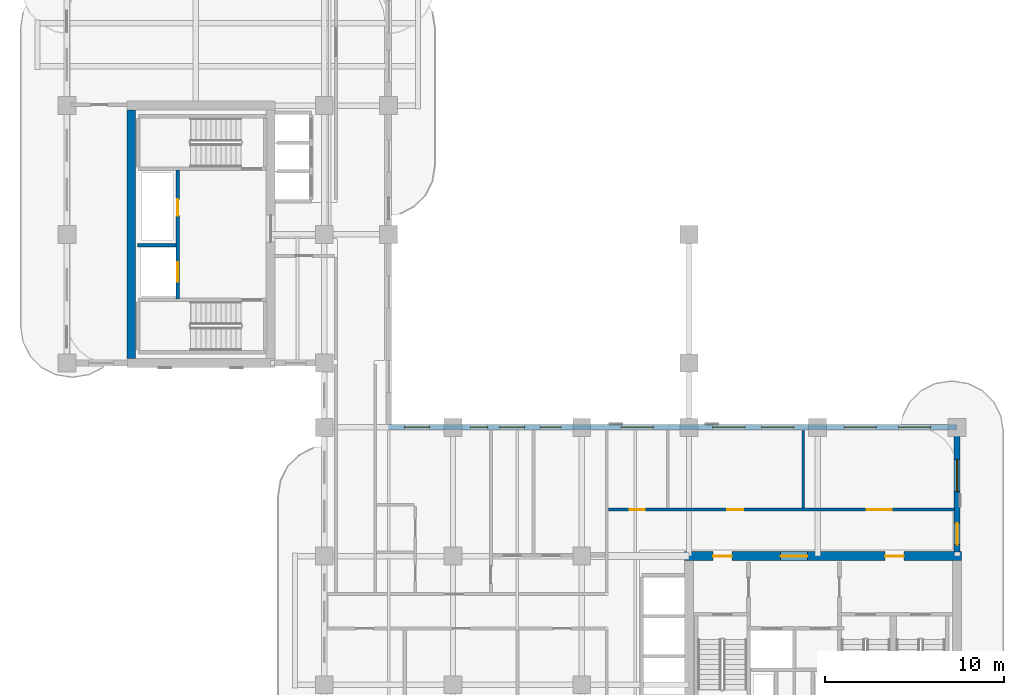
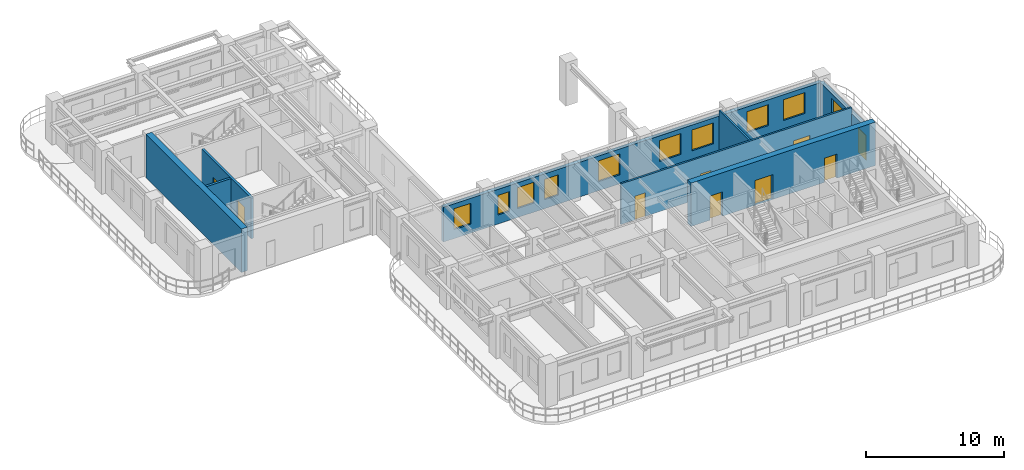
# One storey, part 8 of 15: 10 windows, 9 doors, 8 walls, 19 openings.
"""IFC4 building model written with IfcOpenShell, lengths in metres."""

from ifc_helpers import new_model, si_unit, derived_unit, direction, frame, frame_2d, origin, place, context, subcontext, project, spatial, rectangle, extrude, source, transform, mapped, material, layer, layer_set, type_object, type_shapes, element, fill, save


model = new_model("IFC4")

# Units and contexts
model_context = context("Model", 3, precision=1e-05, world=origin(), true_north=direction((0.0, 1.0)))
body_context = subcontext(model_context, "Body", "Model", "MODEL_VIEW")
ifc_project = project(units=[si_unit("LENGTHUNIT", "METRE"), si_unit("AREAUNIT", "SQUARE_METRE"), si_unit("VOLUMEUNIT", "CUBIC_METRE"), si_unit("PLANEANGLEUNIT", "RADIAN"), si_unit("MASSUNIT", "GRAM", prefix="KILO"), si_unit("THERMODYNAMICTEMPERATUREUNIT", "KELVIN"), si_unit("POWERUNIT", "WATT"), derived_unit("THERMALTRANSMITTANCEUNIT", [(si_unit("POWERUNIT", "WATT"), 1), (si_unit("AREAUNIT", "SQUARE_METRE"), -1), (si_unit("THERMODYNAMICTEMPERATUREUNIT", "KELVIN"), -1)])], contexts=[model_context])

# Site, building, storey
site_placement = place(None, origin())
site = spatial("IfcSite", under=ifc_project, at=site_placement, CompositionType="ELEMENT")
building_placement = place(site_placement, origin())
building = spatial("IfcBuilding", under=site, at=building_placement, Name="Zahravan Archway Hotel and Residences", CompositionType="ELEMENT")
storey_placement = place(building_placement, frame((0.0, 0.0, 184.949951171875)))
storey = spatial("IfcBuildingStorey", under=building, at=storey_placement, Name="L46", CompositionType="ELEMENT", Elevation=184.949951171875)

# Wall, openings, doors
ifc_material_1 = material(Name="Concrete C60/75", Category="concrete")
ifc_layer_1 = layer(ifc_material_1, 0.5, Name="Concrete C60/75", Category="concrete")
ifc_layer_set_1 = layer_set([ifc_layer_1], Name="Concrete C60/75")
wall_type_1 = type_object("IfcWallType", Name="CW-CORE-500", PredefinedType="SHEAR", material=ifc_layer_set_1)
wall_1_placement = place(storey_placement, frame((34.550048828125, 14.39990234375, 0.0), z_axis=(0.0, 0.0, 1.0), x_axis=(1.0, 0.0, 0.0)))
wall_1 = element("IfcWall", 1, at=wall_1_placement, inside=storey, type_object=wall_type_1, Name="L46 Core A Shear N Wall 500 mm", PredefinedType="SHEAR", context=body_context, shape_type="SweptSolid", body=[
    extrude(rectangle(XDim=15.5, YDim=0.5, at=frame_2d((7.75, 0.0))), origin(), (0.0, 0.0, 1.0), 3.85009765625),
])
opening_1_placement = place(wall_1_placement, frame((5.3798828125, 0.0, 0.0)))
opening_1 = element("IfcOpeningElement", 2, at=opening_1_placement, cuts=wall_1, Name="Opening FD-L1", PredefinedType="OPENING", context=body_context, shape_type="SweptSolid", body=[
    extrude(rectangle(XDim=1.5, YDim=2.199951171875, at=frame_2d((0.75, 1.10009765625))), frame((0.0, 0.260009765625, 0.0), z_axis=(0.0, -1.0, 0.0), x_axis=(1.0, 0.0, 0.0)), (0.0, 0.0, 1.0), 0.52001953125),
])
opening_2_placement = place(wall_1_placement, frame((1.594970703125, 0.0, 0.0)))
opening_2 = element("IfcOpeningElement", 3, at=opening_2_placement, cuts=wall_1, Name="Opening FD-L2", PredefinedType="OPENING", context=body_context, shape_type="SweptSolid", body=[
    extrude(rectangle(XDim=1.050048828125, YDim=2.14990234375, at=frame_2d((0.52490234375, 1.074951171875))), frame((0.0, 0.260009765625, 0.0), z_axis=(0.0, -1.0, 0.0), x_axis=(1.0, 0.0, 0.0)), (0.0, 0.0, 1.0), 0.52001953125),
])
opening_3_placement = place(wall_1_placement, frame((11.22509765625, 0.0, 0.0)))
opening_3 = element("IfcOpeningElement", 4, at=opening_3_placement, cuts=wall_1, Name="Opening FD-L2", PredefinedType="OPENING", context=body_context, shape_type="SweptSolid", body=[
    extrude(rectangle(XDim=1.050048828125, YDim=2.14990234375, at=frame_2d((0.52490234375, 1.074951171875))), frame((0.0, 0.260009765625, 0.0), z_axis=(0.0, -1.0, 0.0), x_axis=(1.0, 0.0, 0.0)), (0.0, 0.0, 1.0), 0.52001953125),
])
ifc_material_2 = material(Name="Fire-Rated Painted Steel", Category="steel")
door_type_1 = type_object("IfcDoorType", Name="FD-LOBBY-1100", OperationType="NOTDEFINED", PredefinedType="DOOR", material=ifc_material_2)
shared_shape_1 = source(origin(), body_context, "Body", "SweptSolid", [
    extrude(rectangle(XDim=1.050048828125, YDim=2.14990234375, at=frame_2d((0.52490234375, 1.074951171875))), frame((0.0, 0.02490234375, 0.0), z_axis=(0.0, -1.0, 0.0), x_axis=(1.0, 0.0, 0.0)), (0.0, 0.0, 1.0), 0.050048828125),
])
type_shapes(door_type_1, [shared_shape_1])
door_1_placement = place(opening_2_placement, origin())
door_1 = element("IfcDoor", 5, at=door_1_placement, inside=storey, type_object=door_type_1, Name="L46 Core A West Stair Lobby Door", OperationType="SINGLE_SWING_RIGHT", OverallHeight=2.14990234375, OverallWidth=1.050048828125, PredefinedType="DOOR", context=body_context, shape_type="MappedRepresentation", body=[
    mapped(shared_shape_1, transform((0.0, 0.0, 0.0), scale=1.0)),
])
fill(opening_2, door_1)
door_2_placement = place(opening_3_placement, origin())
door_2 = element("IfcDoor", 6, at=door_2_placement, inside=storey, type_object=door_type_1, Name="L46 Core A East Stair Lobby Door", OperationType="SINGLE_SWING_LEFT", OverallHeight=2.14990234375, OverallWidth=1.050048828125, PredefinedType="DOOR", context=body_context, shape_type="MappedRepresentation", body=[
    mapped(shared_shape_1, transform((0.0, 0.0, 0.0), scale=1.0)),
])
fill(opening_3, door_2)
door_type_2 = type_object("IfcDoorType", Name="FD-LOBBY-1500", OperationType="DOUBLE_DOOR_SINGLE_SWING", PredefinedType="DOOR", material=ifc_material_2)
shared_shape_2 = source(origin(), body_context, "Body", "SweptSolid", [
    extrude(rectangle(XDim=1.5, YDim=2.199951171875, at=frame_2d((0.75, 1.10009765625))), frame((0.0, 0.02490234375, 0.0), z_axis=(0.0, -1.0, 0.0), x_axis=(1.0, 0.0, 0.0)), (0.0, 0.0, 1.0), 0.050048828125),
])
type_shapes(door_type_2, [shared_shape_2])
door_3_placement = place(opening_1_placement, origin())
door_3 = element("IfcDoor", 7, at=door_3_placement, inside=storey, type_object=door_type_2, Name="L46 Core A FSAE Lobby Main Door", OperationType="DOUBLE_DOOR_SINGLE_SWING", OverallHeight=2.199951171875, OverallWidth=1.5, PredefinedType="DOOR", context=body_context, shape_type="MappedRepresentation", body=[
    mapped(shared_shape_2, transform((0.0, 0.0, 0.0), scale=1.0)),
])
fill(opening_1, door_3)

# Wall
wall_2_placement = place(storey_placement, frame((3.60009765625, 25.449951171875, 0.0), z_axis=(0.0, 0.0, 1.0), x_axis=(0.0, 1.0, 0.0)))
element("IfcWall", 8, at=wall_2_placement, inside=storey, type_object=wall_type_1, Name="L46 Core B Shear W Wall 500 mm", PredefinedType="SHEAR", context=body_context, shape_type="SweptSolid", body=[
    extrude(rectangle(XDim=13.900146484375, YDim=0.5, at=frame_2d((6.9501953125, 0.0))), origin(), (0.0, 0.0, 1.0), 3.85009765625),
])

# Wall, openings, door, window
ifc_material_3 = material(Name="Agra Buff Sandstone & Insulated Backup", Category="masonry")
ifc_layer_2 = layer(ifc_material_3, 0.320068359375, Name="Agra Buff Sandstone & Insulated Backup", Category="masonry")
ifc_layer_set_2 = layer_set([ifc_layer_2], Name="Agra Buff Sandstone & Insulated Backup")
wall_type_2 = type_object("IfcWallType", Name="EW-SAND-320", PredefinedType="SOLIDWALL", material=ifc_layer_set_2)
wall_3_placement = place(storey_placement, frame((49.800048828125, 14.6201171875, 0.0), z_axis=(0.0, 0.0, 1.0), x_axis=(0.0, 1.0, 0.0)))
wall_3 = element("IfcWall", 9, at=wall_3_placement, inside=storey, type_object=wall_type_2, Name="L46 Exterior Sandstone Wall WA-EN", PredefinedType="SOLIDWALL", context=body_context, shape_type="SweptSolid", body=[
    extrude(rectangle(XDim=6.929931640625, YDim=0.320068359375, at=frame_2d((3.46484375, 0.0))), origin(), (0.0, 0.0, 1.0), 3.0849609375),
])
opening_4_placement = place(wall_3_placement, frame((0.419921875, 0.0, 0.0)))
opening_4 = element("IfcOpeningElement", 10, at=opening_4_placement, cuts=wall_3, Name="Opening ED-BL1", PredefinedType="OPENING", context=body_context, shape_type="SweptSolid", body=[
    extrude(rectangle(XDim=1.199951171875, YDim=2.199951171875, at=frame_2d((0.60009765625, 1.10009765625))), frame((0.0, 0.169921875, 0.0), z_axis=(0.0, -1.0, 0.0), x_axis=(1.0, 0.0, 0.0)), (0.0, 0.0, 1.0), 0.340087890625),
])
opening_5_placement = place(wall_3_placement, frame((3.384033203125, 0.0, 0.800048828125)))
opening_5 = element("IfcOpeningElement", 11, at=opening_5_placement, cuts=wall_3, Name="Opening W-02", PredefinedType="OPENING", context=body_context, shape_type="SweptSolid", body=[
    extrude(rectangle(XDim=1.800048828125, YDim=1.85009765625, at=frame_2d((0.89990234375, 0.925048828125))), frame((0.0, 0.169921875, 0.0), z_axis=(0.0, -1.0, 0.0), x_axis=(1.0, 0.0, 0.0)), (0.0, 0.0, 1.0), 0.340087890625),
])
ifc_material_4 = material(Name="Bronze-Anodized Glazed Aluminium", Category="aluminium")
door_type_3 = type_object("IfcDoorType", Name="ED-BALC-1200", OperationType="SLIDING_TO_LEFT", PredefinedType="DOOR", material=ifc_material_4)
shared_shape_3 = source(origin(), body_context, "Body", "SweptSolid", [
    extrude(rectangle(XDim=1.199951171875, YDim=2.199951171875, at=frame_2d((0.60009765625, 1.10009765625))), frame((0.0, 0.02490234375, 0.0), z_axis=(0.0, -1.0, 0.0), x_axis=(1.0, 0.0, 0.0)), (0.0, 0.0, 1.0), 0.050048828125),
])
type_shapes(door_type_3, [shared_shape_3])
door_4_placement = place(opening_4_placement, origin())
door_4 = element("IfcDoor", 12, at=door_4_placement, inside=storey, type_object=door_type_3, Name="L46 Outdoor Access Sliding Door (SLB-BAL-L46-EA)", OperationType="SLIDING_TO_LEFT", OverallHeight=2.199951171875, OverallWidth=1.199951171875, PredefinedType="DOOR", context=body_context, shape_type="MappedRepresentation", body=[
    mapped(shared_shape_3, transform((0.0, 0.0, 0.0), scale=1.0)),
])
fill(opening_4, door_4)
ifc_material_5 = material(Name="Bronze-Anodized Thermal-Break Aluminium & Low-E Glass", Category="aluminium")
window_type_1 = type_object("IfcWindowType", Name="WIN-TWR-1800", PartitioningType="DOUBLE_PANEL_VERTICAL", PredefinedType="WINDOW", material=ifc_material_5)
shared_shape_4 = source(origin(), body_context, "Body", "SweptSolid", [
    extrude(rectangle(XDim=1.800048828125, YDim=1.85009765625, at=frame_2d((0.89990234375, 0.925048828125))), frame((0.0, 0.030029296875, 0.0), z_axis=(0.0, -1.0, 0.0), x_axis=(1.0, 0.0, 0.0)), (0.0, 0.0, 1.0), 0.06005859375),
])
type_shapes(window_type_1, [shared_shape_4])
window_1_placement = place(opening_5_placement, origin())
window_1 = element("IfcWindow", 13, at=window_1_placement, inside=storey, type_object=window_type_1, Name="L46 Loggia Window 10", OverallHeight=1.85009765625, OverallWidth=1.800048828125, PartitioningType="DOUBLE_PANEL_VERTICAL", PredefinedType="WINDOW", context=body_context, shape_type="MappedRepresentation", body=[
    mapped(shared_shape_4, transform((0.0, 0.0, 0.0), scale=1.0)),
])
fill(opening_5, window_1)

# Wall, openings, windows
wall_4_placement = place(storey_placement, frame((18.0, 21.60009765625, 0.0), z_axis=(0.0, 0.0, 1.0), x_axis=(1.0, 0.0, 0.0)))
wall_4 = element("IfcWall", 14, at=wall_4_placement, inside=storey, type_object=wall_type_2, Name="L46 Exterior Sandstone Wall WA-NE", PredefinedType="SOLIDWALL", context=body_context, shape_type="SweptSolid", body=[
    extrude(rectangle(XDim=31.800048828125, YDim=0.320068359375, at=frame_2d((15.89990234375, 0.0))), origin(), (0.0, 0.0, 1.0), 3.0849609375),
])
opening_6_placement = place(wall_4_placement, frame((0.885009765625, 0.0, 0.800048828125)))
opening_6 = element("IfcOpeningElement", 15, at=opening_6_placement, cuts=wall_4, Name="Opening W-03", PredefinedType="OPENING", context=body_context, shape_type="SweptSolid", body=[
    extrude(rectangle(XDim=1.39990234375, YDim=1.85009765625, at=frame_2d((0.699951171875, 0.925048828125))), frame((0.0, 0.169921875, 0.0), z_axis=(0.0, -1.0, 0.0), x_axis=(1.0, 0.0, 0.0)), (0.0, 0.0, 1.0), 0.340087890625),
])
opening_7_placement = place(wall_4_placement, frame((4.5810546875, 0.0, 0.800048828125)))
opening_7 = element("IfcOpeningElement", 16, at=opening_7_placement, cuts=wall_4, Name="Opening W-04", PredefinedType="OPENING", context=body_context, shape_type="SweptSolid", body=[
    extrude(rectangle(XDim=0.949951171875, YDim=1.75, at=frame_2d((0.47509765625, 0.875))), frame((0.0, 0.169921875, 0.0), z_axis=(0.0, -1.0, 0.0), x_axis=(1.0, 0.0, 0.0)), (0.0, 0.0, 1.0), 0.340087890625),
])
opening_8_placement = place(wall_4_placement, frame((6.2099609375, 0.0, 0.800048828125)))
opening_8 = element("IfcOpeningElement", 17, at=opening_8_placement, cuts=wall_4, Name="Opening W-03", PredefinedType="OPENING", context=body_context, shape_type="SweptSolid", body=[
    extrude(rectangle(XDim=1.39990234375, YDim=1.85009765625, at=frame_2d((0.699951171875, 0.925048828125))), frame((0.0, 0.169921875, 0.0), z_axis=(0.0, -1.0, 0.0), x_axis=(1.0, 0.0, 0.0)), (0.0, 0.0, 1.0), 0.340087890625),
])
opening_9_placement = place(wall_4_placement, frame((8.47998046875, 0.0, 0.800048828125)))
opening_9 = element("IfcOpeningElement", 18, at=opening_9_placement, cuts=wall_4, Name="Opening W-05", PredefinedType="OPENING", context=body_context, shape_type="SweptSolid", body=[
    extrude(rectangle(XDim=1.14990234375, YDim=1.800048828125, at=frame_2d((0.574951171875, 0.89990234375))), frame((0.0, 0.169921875, 0.0), z_axis=(0.0, -1.0, 0.0), x_axis=(1.0, 0.0, 0.0)), (0.0, 0.0, 1.0), 0.340087890625),
])
opening_10_placement = place(wall_4_placement, frame((13.0009765625, 0.0, 0.800048828125)))
opening_10 = element("IfcOpeningElement", 19, at=opening_10_placement, cuts=wall_4, Name="Opening W-02", PredefinedType="OPENING", context=body_context, shape_type="SweptSolid", body=[
    extrude(rectangle(XDim=1.800048828125, YDim=1.85009765625, at=frame_2d((0.89990234375, 0.925048828125))), frame((0.0, 0.169921875, 0.0), z_axis=(0.0, -1.0, 0.0), x_axis=(1.0, 0.0, 0.0)), (0.0, 0.0, 1.0), 0.340087890625),
])
opening_11_placement = place(wall_4_placement, frame((18.123046875, 0.0, 0.800048828125)))
opening_11 = element("IfcOpeningElement", 20, at=opening_11_placement, cuts=wall_4, Name="Opening W-02", PredefinedType="OPENING", context=body_context, shape_type="SweptSolid", body=[
    extrude(rectangle(XDim=1.800048828125, YDim=1.85009765625, at=frame_2d((0.89990234375, 0.925048828125))), frame((0.0, 0.169921875, 0.0), z_axis=(0.0, -1.0, 0.0), x_axis=(1.0, 0.0, 0.0)), (0.0, 0.0, 1.0), 0.340087890625),
])
opening_12_placement = place(wall_4_placement, frame((20.868896484375, 0.0, 0.800048828125)))
opening_12 = element("IfcOpeningElement", 21, at=opening_12_placement, cuts=wall_4, Name="Opening W-02", PredefinedType="OPENING", context=body_context, shape_type="SweptSolid", body=[
    extrude(rectangle(XDim=1.800048828125, YDim=1.85009765625, at=frame_2d((0.89990234375, 0.925048828125))), frame((0.0, 0.169921875, 0.0), z_axis=(0.0, -1.0, 0.0), x_axis=(1.0, 0.0, 0.0)), (0.0, 0.0, 1.0), 0.340087890625),
])
opening_13_placement = place(wall_4_placement, frame((25.47509765625, 0.0, 0.800048828125)))
opening_13 = element("IfcOpeningElement", 22, at=opening_13_placement, cuts=wall_4, Name="Opening W-02", PredefinedType="OPENING", context=body_context, shape_type="SweptSolid", body=[
    extrude(rectangle(XDim=1.800048828125, YDim=1.85009765625, at=frame_2d((0.89990234375, 0.925048828125))), frame((0.0, 0.169921875, 0.0), z_axis=(0.0, -1.0, 0.0), x_axis=(1.0, 0.0, 0.0)), (0.0, 0.0, 1.0), 0.340087890625),
])
opening_14_placement = place(wall_4_placement, frame((28.52490234375, 0.0, 0.800048828125)))
opening_14 = element("IfcOpeningElement", 23, at=opening_14_placement, cuts=wall_4, Name="Opening W-02", PredefinedType="OPENING", context=body_context, shape_type="SweptSolid", body=[
    extrude(rectangle(XDim=1.800048828125, YDim=1.85009765625, at=frame_2d((0.89990234375, 0.925048828125))), frame((0.0, 0.169921875, 0.0), z_axis=(0.0, -1.0, 0.0), x_axis=(1.0, 0.0, 0.0)), (0.0, 0.0, 1.0), 0.340087890625),
])
window_type_2 = type_object("IfcWindowType", Name="WIN-TWR-1400", PartitioningType="SINGLE_PANEL", PredefinedType="WINDOW", material=ifc_material_5)
shared_shape_5 = source(origin(), body_context, "Body", "SweptSolid", [
    extrude(rectangle(XDim=1.39990234375, YDim=1.85009765625, at=frame_2d((0.699951171875, 0.925048828125))), frame((0.0, 0.030029296875, 0.0), z_axis=(0.0, -1.0, 0.0), x_axis=(1.0, 0.0, 0.0)), (0.0, 0.0, 1.0), 0.06005859375),
])
type_shapes(window_type_2, [shared_shape_5])
window_2_placement = place(opening_6_placement, origin())
window_2 = element("IfcWindow", 24, at=window_2_placement, inside=storey, type_object=window_type_2, Name="L46 Loggia Window 11", OverallHeight=1.85009765625, OverallWidth=1.39990234375, PartitioningType="SINGLE_PANEL", PredefinedType="WINDOW", context=body_context, shape_type="MappedRepresentation", body=[
    mapped(shared_shape_5, transform((0.0, 0.0, 0.0), scale=1.0)),
])
fill(opening_6, window_2)
window_3_placement = place(opening_8_placement, origin())
window_3 = element("IfcWindow", 25, at=window_3_placement, inside=storey, type_object=window_type_2, Name="L46 Loggia Window 13", OverallHeight=1.85009765625, OverallWidth=1.39990234375, PartitioningType="SINGLE_PANEL", PredefinedType="WINDOW", context=body_context, shape_type="MappedRepresentation", body=[
    mapped(shared_shape_5, transform((0.0, 0.0, 0.0), scale=1.0)),
])
fill(opening_8, window_3)
window_type_3 = type_object("IfcWindowType", Name="WIN-NAR-950", PartitioningType="SINGLE_PANEL", PredefinedType="WINDOW", material=ifc_material_5)
shared_shape_6 = source(origin(), body_context, "Body", "SweptSolid", [
    extrude(rectangle(XDim=0.949951171875, YDim=1.75, at=frame_2d((0.47509765625, 0.875))), frame((0.0, 0.030029296875, 0.0), z_axis=(0.0, -1.0, 0.0), x_axis=(1.0, 0.0, 0.0)), (0.0, 0.0, 1.0), 0.06005859375),
])
type_shapes(window_type_3, [shared_shape_6])
window_4_placement = place(opening_7_placement, origin())
window_4 = element("IfcWindow", 26, at=window_4_placement, inside=storey, type_object=window_type_3, Name="L46 Loggia Window 12", OverallHeight=1.75, OverallWidth=0.949951171875, PartitioningType="SINGLE_PANEL", PredefinedType="WINDOW", context=body_context, shape_type="MappedRepresentation", body=[
    mapped(shared_shape_6, transform((0.0, 0.0, 0.0), scale=1.0)),
])
fill(opening_7, window_4)
window_5_placement = place(opening_10_placement, origin())
window_5 = element("IfcWindow", 27, at=window_5_placement, inside=storey, type_object=window_type_1, Name="L46 Loggia Window 15", OverallHeight=1.85009765625, OverallWidth=1.800048828125, PartitioningType="DOUBLE_PANEL_VERTICAL", PredefinedType="WINDOW", context=body_context, shape_type="MappedRepresentation", body=[
    mapped(shared_shape_4, transform((0.0, 0.0, 0.0), scale=1.0)),
])
fill(opening_10, window_5)
window_6_placement = place(opening_11_placement, origin())
window_6 = element("IfcWindow", 28, at=window_6_placement, inside=storey, type_object=window_type_1, Name="L46 Loggia Window 16", OverallHeight=1.85009765625, OverallWidth=1.800048828125, PartitioningType="DOUBLE_PANEL_VERTICAL", PredefinedType="WINDOW", context=body_context, shape_type="MappedRepresentation", body=[
    mapped(shared_shape_4, transform((0.0, 0.0, 0.0), scale=1.0)),
])
fill(opening_11, window_6)
window_7_placement = place(opening_12_placement, origin())
window_7 = element("IfcWindow", 29, at=window_7_placement, inside=storey, type_object=window_type_1, Name="L46 Loggia Window 17", OverallHeight=1.85009765625, OverallWidth=1.800048828125, PartitioningType="DOUBLE_PANEL_VERTICAL", PredefinedType="WINDOW", context=body_context, shape_type="MappedRepresentation", body=[
    mapped(shared_shape_4, transform((0.0, 0.0, 0.0), scale=1.0)),
])
fill(opening_12, window_7)
window_8_placement = place(opening_13_placement, origin())
window_8 = element("IfcWindow", 30, at=window_8_placement, inside=storey, type_object=window_type_1, Name="L46 Loggia Window 18", OverallHeight=1.85009765625, OverallWidth=1.800048828125, PartitioningType="DOUBLE_PANEL_VERTICAL", PredefinedType="WINDOW", context=body_context, shape_type="MappedRepresentation", body=[
    mapped(shared_shape_4, transform((0.0, 0.0, 0.0), scale=1.0)),
])
fill(opening_13, window_8)
window_9_placement = place(opening_14_placement, origin())
window_9 = element("IfcWindow", 31, at=window_9_placement, inside=storey, type_object=window_type_1, Name="L46 Loggia Window 19", OverallHeight=1.85009765625, OverallWidth=1.800048828125, PartitioningType="DOUBLE_PANEL_VERTICAL", PredefinedType="WINDOW", context=body_context, shape_type="MappedRepresentation", body=[
    mapped(shared_shape_4, transform((0.0, 0.0, 0.0), scale=1.0)),
])
fill(opening_14, window_9)
window_type_4 = type_object("IfcWindowType", Name="WIN-TWR-1150", PartitioningType="SINGLE_PANEL", PredefinedType="WINDOW", material=ifc_material_5)
shared_shape_7 = source(origin(), body_context, "Body", "SweptSolid", [
    extrude(rectangle(XDim=1.14990234375, YDim=1.800048828125, at=frame_2d((0.574951171875, 0.89990234375))), frame((0.0, 0.030029296875, 0.0), z_axis=(0.0, -1.0, 0.0), x_axis=(1.0, 0.0, 0.0)), (0.0, 0.0, 1.0), 0.06005859375),
])
type_shapes(window_type_4, [shared_shape_7])
window_10_placement = place(opening_9_placement, origin())
window_10 = element("IfcWindow", 32, at=window_10_placement, inside=storey, type_object=window_type_4, Name="L46 Loggia Window 14", OverallHeight=1.800048828125, OverallWidth=1.14990234375, PartitioningType="SINGLE_PANEL", PredefinedType="WINDOW", context=body_context, shape_type="MappedRepresentation", body=[
    mapped(shared_shape_7, transform((0.0, 0.0, 0.0), scale=1.0)),
])
fill(opening_9, window_10)

# Wall, openings, doors
ifc_material_6 = material(Name="Fire-Rated Gypsum & Concrete Block", Category="concrete")
ifc_layer_3 = layer(ifc_material_6, 0.159912109375, Name="Fire-Rated Gypsum & Concrete Block", Category="concrete")
ifc_layer_set_3 = layer_set([ifc_layer_3], Name="Fire-Rated Gypsum & Concrete Block")
wall_type_3 = type_object("IfcWallType", Name="PW-CORR-160", PredefinedType="PARTITIONING", material=ifc_layer_set_3)
wall_5_placement = place(storey_placement, frame((30.2900390625, 17.0, 0.0), z_axis=(0.0, 0.0, 1.0), x_axis=(1.0, 0.0, 0.0)))
wall_5 = element("IfcWall", 33, at=wall_5_placement, inside=storey, type_object=wall_type_3, Name="L46 Partition WA-FN", PredefinedType="PARTITIONING", context=body_context, shape_type="SweptSolid", body=[
    extrude(rectangle(XDim=19.369873046875, YDim=0.159912109375, at=frame_2d((9.68505859375, 0.0))), origin(), (0.0, 0.0, 1.0), 3.60009765625),
])
opening_15_placement = place(wall_5_placement, frame((1.18505859375, 0.0, 0.0)))
opening_15 = element("IfcOpeningElement", 34, at=opening_15_placement, cuts=wall_5, Name="Opening D-B1", PredefinedType="OPENING", context=body_context, shape_type="SweptSolid", body=[
    extrude(rectangle(XDim=0.85009765625, YDim=2.10009765625, at=frame_2d((0.425048828125, 1.050048828125))), frame((0.0, 0.08984375, 0.0), z_axis=(0.0, -1.0, 0.0), x_axis=(1.0, 0.0, 0.0)), (0.0, 0.0, 1.0), 0.179931640625),
])
opening_16_placement = place(wall_5_placement, frame((6.659912109375, 0.0, 0.0)))
opening_16 = element("IfcOpeningElement", 35, at=opening_16_placement, cuts=wall_5, Name="Opening D-I2", PredefinedType="OPENING", context=body_context, shape_type="SweptSolid", body=[
    extrude(rectangle(XDim=0.89990234375, YDim=2.14990234375, at=frame_2d((0.449951171875, 1.074951171875))), frame((0.0, 0.08984375, 0.0), z_axis=(0.0, -1.0, 0.0), x_axis=(1.0, 0.0, 0.0)), (0.0, 0.0, 1.0), 0.179931640625),
])
opening_17_placement = place(wall_5_placement, frame((14.4599609375, 0.0, 0.0)))
opening_17 = element("IfcOpeningElement", 36, at=opening_17_placement, cuts=wall_5, Name="Opening D-P1", PredefinedType="OPENING", context=body_context, shape_type="SweptSolid", body=[
    extrude(rectangle(XDim=1.39990234375, YDim=2.35009765625, at=frame_2d((0.699951171875, 1.175048828125))), frame((0.0, 0.08984375, 0.0), z_axis=(0.0, -1.0, 0.0), x_axis=(1.0, 0.0, 0.0)), (0.0, 0.0, 1.0), 0.179931640625),
])
ifc_material_7 = material(Name="Hardwood Veneer Timber", Category="wood")
door_type_4 = type_object("IfcDoorType", Name="ID-BATH-850", OperationType="NOTDEFINED", PredefinedType="DOOR", material=ifc_material_7)
shared_shape_8 = source(origin(), body_context, "Body", "SweptSolid", [
    extrude(rectangle(XDim=0.85009765625, YDim=2.10009765625, at=frame_2d((0.425048828125, 1.050048828125))), frame((0.0, 0.02490234375, 0.0), z_axis=(0.0, -1.0, 0.0), x_axis=(1.0, 0.0, 0.0)), (0.0, 0.0, 1.0), 0.050048828125),
])
type_shapes(door_type_4, [shared_shape_8])
door_5_placement = place(opening_15_placement, origin())
door_5 = element("IfcDoor", 37, at=door_5_placement, inside=storey, type_object=door_type_4, Name="L46 Accessible Floor Restroom Door", OperationType="SINGLE_SWING_RIGHT", OverallHeight=2.10009765625, OverallWidth=0.85009765625, PredefinedType="DOOR", context=body_context, shape_type="MappedRepresentation", body=[
    mapped(shared_shape_8, transform((0.0, 0.0, 0.0), scale=1.0)),
])
fill(opening_15, door_5)
door_type_5 = type_object("IfcDoorType", Name="ID-PUBLIC-1400", OperationType="DOUBLE_DOOR_SINGLE_SWING", PredefinedType="DOOR", material=ifc_material_4)
shared_shape_9 = source(origin(), body_context, "Body", "SweptSolid", [
    extrude(rectangle(XDim=1.39990234375, YDim=2.35009765625, at=frame_2d((0.699951171875, 1.175048828125))), frame((0.0, 0.02490234375, 0.0), z_axis=(0.0, -1.0, 0.0), x_axis=(1.0, 0.0, 0.0)), (0.0, 0.0, 1.0), 0.050048828125),
])
type_shapes(door_type_5, [shared_shape_9])
door_6_placement = place(opening_17_placement, origin())
door_6 = element("IfcDoor", 38, at=door_6_placement, inside=storey, type_object=door_type_5, Name="L46 Co-Working Room Door", OperationType="DOUBLE_DOOR_SINGLE_SWING", OverallHeight=2.35009765625, OverallWidth=1.39990234375, PredefinedType="DOOR", context=body_context, shape_type="MappedRepresentation", body=[
    mapped(shared_shape_9, transform((0.0, 0.0, 0.0), scale=1.0)),
])
fill(opening_17, door_6)
door_type_6 = type_object("IfcDoorType", Name="ID-INT-900", OperationType="NOTDEFINED", PredefinedType="DOOR", material=ifc_material_7)
shared_shape_10 = source(origin(), body_context, "Body", "SweptSolid", [
    extrude(rectangle(XDim=0.89990234375, YDim=2.14990234375, at=frame_2d((0.449951171875, 1.074951171875))), frame((0.0, 0.02490234375, 0.0), z_axis=(0.0, -1.0, 0.0), x_axis=(1.0, 0.0, 0.0)), (0.0, 0.0, 1.0), 0.050048828125),
])
type_shapes(door_type_6, [shared_shape_10])
door_7_placement = place(opening_16_placement, origin())
door_7 = element("IfcDoor", 39, at=door_7_placement, inside=storey, type_object=door_type_6, Name="L46 Tea Servery Door", OperationType="SINGLE_SWING_LEFT", OverallHeight=2.14990234375, OverallWidth=0.89990234375, PredefinedType="DOOR", context=body_context, shape_type="MappedRepresentation", body=[
    mapped(shared_shape_10, transform((0.0, 0.0, 0.0), scale=1.0)),
])
fill(opening_16, door_7)

ifc_layer_4 = layer(ifc_material_6, 0.199951171875, Name="Fire-Rated Gypsum & Concrete Block", Category="concrete")
ifc_layer_set_4 = layer_set([ifc_layer_4], Name="Fire-Rated Gypsum & Concrete Block")
wall_type_4 = type_object("IfcWallType", Name="PW-SHAFT-200", PredefinedType="PARTITIONING", material=ifc_layer_set_4)
wall_6_placement = place(storey_placement, frame((6.199951171875, 28.7900390625, 0.0), z_axis=(0.0, 0.0, 1.0), x_axis=(0.0, 1.0, 0.0)))
wall_6 = element("IfcWall", 40, at=wall_6_placement, inside=storey, type_object=wall_type_4, Name="L46 Partition CB-FL3E", PredefinedType="PARTITIONING", context=body_context, shape_type="SweptSolid", body=[
    extrude(rectangle(XDim=7.219970703125, YDim=0.199951171875, at=frame_2d((3.60986328125, 0.0))), origin(), (0.0, 0.0, 1.0), 3.60009765625),
])
opening_18_placement = place(wall_6_placement, frame((4.659912109375, 0.0, 0.0)))
opening_18 = element("IfcOpeningElement", 41, at=opening_18_placement, cuts=wall_6, Name="Opening FD-R1", PredefinedType="OPENING", context=body_context, shape_type="SweptSolid", body=[
    extrude(rectangle(XDim=0.89990234375, YDim=2.10009765625, at=frame_2d((0.449951171875, 1.050048828125))), frame((0.0, 0.10986328125, 0.0), z_axis=(0.0, -1.0, 0.0), x_axis=(1.0, 0.0, 0.0)), (0.0, 0.0, 1.0), 0.219970703125),
])
opening_19_placement = place(wall_6_placement, frame((0.9599609375, 0.0, 0.0)))
opening_19 = element("IfcOpeningElement", 42, at=opening_19_placement, cuts=wall_6, Name="Opening LD", PredefinedType="OPENING", context=body_context, shape_type="SweptSolid", body=[
    extrude(rectangle(XDim=1.10009765625, YDim=2.199951171875, at=frame_2d((0.550048828125, 1.10009765625))), frame((0.0, 0.10986328125, 0.0), z_axis=(0.0, -1.0, 0.0), x_axis=(1.0, 0.0, 0.0)), (0.0, 0.0, 1.0), 0.219970703125),
])
door_type_7 = type_object("IfcDoorType", Name="FD-RISER-900", OperationType="NOTDEFINED", PredefinedType="DOOR", material=ifc_material_2)
shared_shape_11 = source(origin(), body_context, "Body", "SweptSolid", [
    extrude(rectangle(XDim=0.89990234375, YDim=2.10009765625, at=frame_2d((0.449951171875, 1.050048828125))), frame((0.0, 0.02490234375, 0.0), z_axis=(0.0, -1.0, 0.0), x_axis=(1.0, 0.0, 0.0)), (0.0, 0.0, 1.0), 0.050048828125),
])
type_shapes(door_type_7, [shared_shape_11])
door_8_placement = place(opening_18_placement, origin())
door_8 = element("IfcDoor", 43, at=door_8_placement, inside=storey, type_object=door_type_7, Name="L46 Core B Riser Door", OperationType="SINGLE_SWING_RIGHT", OverallHeight=2.10009765625, OverallWidth=0.89990234375, PredefinedType="DOOR", context=body_context, shape_type="MappedRepresentation", body=[
    mapped(shared_shape_11, transform((0.0, 0.0, 0.0), scale=1.0)),
])
fill(opening_18, door_8)
ifc_material_8 = material(Name="Brushed Stainless Steel", Category="steel")
door_type_8 = type_object("IfcDoorType", Name="DR-LIFT-LD", OperationType="SLIDING_TO_LEFT", PredefinedType="DOOR", material=ifc_material_8)
shared_shape_12 = source(origin(), body_context, "Body", "SweptSolid", [
    extrude(rectangle(XDim=1.10009765625, YDim=2.199951171875, at=frame_2d((0.550048828125, 1.10009765625))), frame((0.0, 0.02490234375, 0.0), z_axis=(0.0, -1.0, 0.0), x_axis=(1.0, 0.0, 0.0)), (0.0, 0.0, 1.0), 0.050048828125),
])
type_shapes(door_type_8, [shared_shape_12])
door_9_placement = place(opening_19_placement, origin())
door_9 = element("IfcDoor", 44, at=door_9_placement, inside=storey, type_object=door_type_8, Name="L46 Lift FL-3 Sliding Landing Door", OperationType="SLIDING_TO_LEFT", OverallHeight=2.199951171875, OverallWidth=1.10009765625, PredefinedType="DOOR", context=body_context, shape_type="MappedRepresentation", body=[
    mapped(shared_shape_12, transform((0.0, 0.0, 0.0), scale=1.0)),
])
fill(opening_19, door_9)

# Walls
wall_7_placement = place(storey_placement, frame((3.9599609375, 31.780029296875, 0.0), z_axis=(0.0, 0.0, 1.0), x_axis=(1.0, 0.0, 0.0)))
element("IfcWall", 45, at=wall_7_placement, inside=storey, type_object=wall_type_4, Name="L46 Partition CB-FL3N", PredefinedType="PARTITIONING", context=body_context, shape_type="SweptSolid", body=[
    extrude(rectangle(XDim=2.130126953125, YDim=0.199951171875, at=frame_2d((1.06494140625, 0.0))), origin(), (0.0, 0.0, 1.0), 3.60009765625),
])
ifc_material_9 = material(Name="Moisture-Resistant Blockwork", Category="masonry")
ifc_layer_5 = layer(ifc_material_9, 0.139892578125, Name="Moisture-Resistant Blockwork", Category="masonry")
ifc_layer_set_5 = layer_set([ifc_layer_5], Name="Moisture-Resistant Blockwork")
wall_type_5 = type_object("IfcWallType", Name="PW-WET-140", PredefinedType="PARTITIONING", material=ifc_layer_set_5)
wall_8_placement = place(storey_placement, frame((41.199951171875, 17.090087890625, 0.0), z_axis=(0.0, 0.0, 1.0), x_axis=(0.0, 1.0, 0.0)))
element("IfcWall", 46, at=wall_8_placement, inside=storey, type_object=wall_type_5, Name="L46 Partition NE0-2", PredefinedType="PARTITIONING", context=body_context, shape_type="SweptSolid", body=[
    extrude(rectangle(XDim=4.341796875, YDim=0.139892578125, at=frame_2d((2.1708984375, 0.0))), origin(), (0.0, 0.0, 1.0), 3.60009765625),
])

save(model, "model.ifc")
